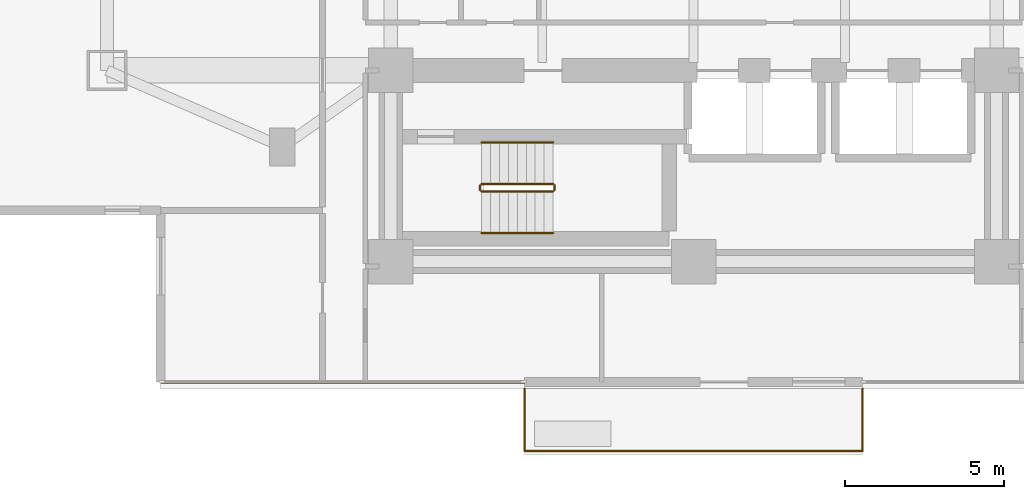
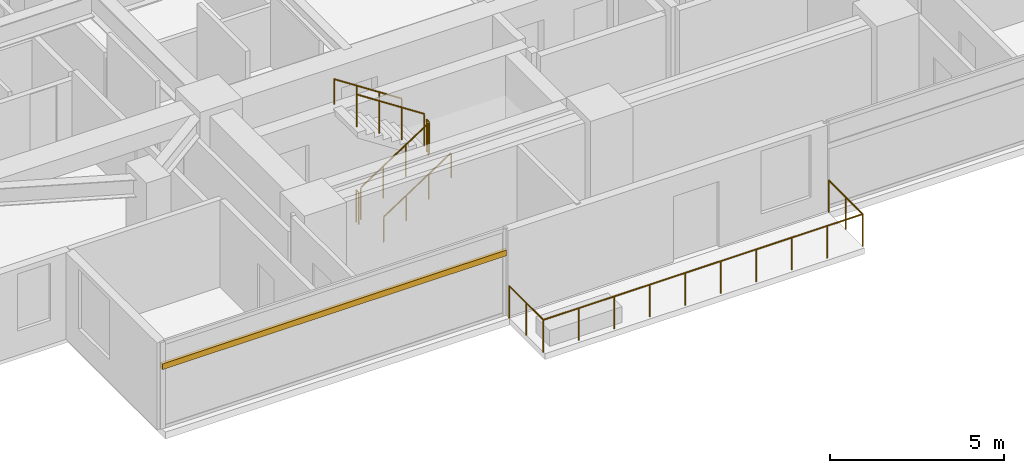
# One storey, part 20 of 25: 9 railings, 1 shading device.
"""IFC4 building model written with IfcOpenShell, lengths in metres."""

from ifc_helpers import new_model, si_unit, direction, frame, origin, origin_2d, place, context, subcontext, project, spatial, rectangle, circle, extrude, material, material_profile, profile_set, type_object, element, save


model = new_model("IFC4")

# Units and contexts
model_context = context("Model", 3, precision=1e-05, world=origin(), true_north=direction((0.0, 1.0)))
body_context = subcontext(model_context, "Body", "Model", "MODEL_VIEW")
ifc_project = project(units=[si_unit("LENGTHUNIT", "METRE"), si_unit("AREAUNIT", "SQUARE_METRE"), si_unit("VOLUMEUNIT", "CUBIC_METRE"), si_unit("PLANEANGLEUNIT", "RADIAN"), si_unit("MASSUNIT", "GRAM", prefix="KILO")], contexts=[model_context])

# Site, building, storey
site_placement = place(None, origin())
site = spatial("IfcSite", under=ifc_project, at=site_placement, CompositionType="ELEMENT")
building_placement = place(site_placement, origin())
building = spatial("IfcBuilding", under=site, at=building_placement, Name="Mirazonda Arch Towers", CompositionType="ELEMENT")
storey_placement = place(building_placement, frame((0.0, 0.0, 35.60009765625)))
storey = spatial("IfcBuildingStorey", under=building, at=storey_placement, Name="L09", CompositionType="ELEMENT", Elevation=35.60009765625)

# Shading device
ifc_material_1 = material(Name="Kiln-Fired Architectural Terracotta", Category="masonry")
ifc_material_profile = material_profile(ifc_material_1, rectangle(XDim=0.10009765625, YDim=0.199951171875, at=origin_2d()), Name="TERRA-BAG-100x200")
ifc_profile_set = profile_set([ifc_material_profile], Name="Kiln-Fired Architectural Terracotta")
shading_device_type = type_object("IfcShadingDeviceType", Name="BAGUETTE-2", PredefinedType="USERDEFINED", material=ifc_profile_set)
shading_device_placement = place(storey_placement, frame((15.2099609375, 8.6279296875, 2.188720703125), z_axis=(-1.0, 0.0, 0.0), x_axis=(0.0, -1.0, 0.0)))
element("IfcShadingDevice", 1, at=shading_device_placement, inside=storey, type_object=shading_device_type, Name="L09 Glazed Terracotta Sun-Screen Baguette CW-L09-T1-SB", ObjectType="BAGUETTE", PredefinedType="USERDEFINED", context=body_context, shape_type="SweptSolid", body=[
    extrude(rectangle(XDim=0.10009765625, YDim=0.199951171875, at=origin_2d()), origin(), (0.0, 0.0, 1.0), 11.429931640625),
])

# Railings
ifc_material_2 = material(Name="Architectural Brushed Steel S355", Category="steel")
railing_type_1 = type_object("IfcRailingType", Name="GUARD-EXT-1150", PredefinedType="GUARDRAIL", material=ifc_material_2)
railing_1_placement = place(storey_placement, frame((25.800048828125, 8.41796875, 0.0)))
element("IfcRailing", 2, at=railing_1_placement, inside=storey, type_object=railing_type_1, Name="L09 T1 Sky-Terrace Guard 01", PredefinedType="GUARDRAIL", context=body_context, shape_type="SweptSolid", body=[
    extrude(circle(Radius=0.02392578125, at=origin_2d()), frame((0.0, 0.0, 1.1259765625), z_axis=(0.0, -1.0, 0.0), x_axis=(1.0, 0.0, 0.0)), (0.0, 0.0, 1.0), 1.9599609375),
    extrude(circle(Radius=0.02099609375, at=origin_2d()), origin(), (0.0, 0.0, 1.0), 1.101806640625),
    extrude(circle(Radius=0.02099609375, at=origin_2d()), frame((0.0, -0.97998046875, 0.0)), (0.0, 0.0, 1.0), 1.101806640625),
    extrude(circle(Radius=0.02099609375, at=origin_2d()), frame((0.0, -1.9599609375, 0.0)), (0.0, 0.0, 1.0), 1.101806640625),
])
railing_2_placement = place(storey_placement, frame((25.800048828125, 6.4580078125, 0.0)))
element("IfcRailing", 3, at=railing_2_placement, inside=storey, type_object=railing_type_1, Name="L09 T1 Sky-Terrace Guard 02", PredefinedType="GUARDRAIL", context=body_context, shape_type="SweptSolid", body=[
    extrude(circle(Radius=0.02392578125, at=origin_2d()), frame((0.0, 0.0, 1.1259765625), z_axis=(-1.0, 0.0, 0.0), x_axis=(0.0, -1.0, 0.0)), (0.0, 0.0, 1.0), 10.60009765625),
    extrude(circle(Radius=0.02099609375, at=origin_2d()), origin(), (0.0, 0.0, 1.0), 1.101806640625),
    extrude(circle(Radius=0.02099609375, at=origin_2d()), frame((-1.177734375, 0.0, 0.0)), (0.0, 0.0, 1.0), 1.101806640625),
    extrude(circle(Radius=0.02099609375, at=origin_2d()), frame((-2.35546875, 0.0, 0.0)), (0.0, 0.0, 1.0), 1.101806640625),
    extrude(circle(Radius=0.02099609375, at=origin_2d()), frame((-3.533447265625, 0.0, 0.0)), (0.0, 0.0, 1.0), 1.101806640625),
    extrude(circle(Radius=0.02099609375, at=origin_2d()), frame((-4.711181640625, 0.0, 0.0)), (0.0, 0.0, 1.0), 1.101806640625),
    extrude(circle(Radius=0.02099609375, at=origin_2d()), frame((-5.888916015625, 0.0, 0.0)), (0.0, 0.0, 1.0), 1.101806640625),
    extrude(circle(Radius=0.02099609375, at=origin_2d()), frame((-7.066650390625, 0.0, 0.0)), (0.0, 0.0, 1.0), 1.101806640625),
    extrude(circle(Radius=0.02099609375, at=origin_2d()), frame((-8.24462890625, 0.0, 0.0)), (0.0, 0.0, 1.0), 1.101806640625),
    extrude(circle(Radius=0.02099609375, at=origin_2d()), frame((-9.42236328125, 0.0, 0.0)), (0.0, 0.0, 1.0), 1.101806640625),
    extrude(circle(Radius=0.02099609375, at=origin_2d()), frame((-10.60009765625, 0.0, 0.0)), (0.0, 0.0, 1.0), 1.101806640625),
])
railing_3_placement = place(storey_placement, frame((15.199951171875, 6.4580078125, 0.0)))
element("IfcRailing", 4, at=railing_3_placement, inside=storey, type_object=railing_type_1, Name="L09 T1 Sky-Terrace Guard 03", PredefinedType="GUARDRAIL", context=body_context, shape_type="SweptSolid", body=[
    extrude(circle(Radius=0.02392578125, at=origin_2d()), frame((0.0, 0.0, 1.1259765625), z_axis=(0.0, 1.0, 0.0), x_axis=(-1.0, 0.0, 0.0)), (0.0, 0.0, 1.0), 1.9599609375),
    extrude(circle(Radius=0.02099609375, at=origin_2d()), origin(), (0.0, 0.0, 1.0), 1.101806640625),
    extrude(circle(Radius=0.02099609375, at=origin_2d()), frame((0.0, 0.97998046875, 0.0)), (0.0, 0.0, 1.0), 1.101806640625),
    extrude(circle(Radius=0.02099609375, at=origin_2d()), frame((0.0, 1.9599609375, 0.0)), (0.0, 0.0, 1.0), 1.101806640625),
])
railing_type_2 = type_object("IfcRailingType", Name="GUARD-STAIR-1120", PredefinedType="GUARDRAIL", material=ifc_material_2)
railing_4_placement = place(storey_placement, frame((13.85009765625, 14.60009765625, 0.183349609375)))
element("IfcRailing", 5, at=railing_4_placement, inside=storey, type_object=railing_type_2, Name="L09 ST-T1S stair guard 1", PredefinedType="GUARDRAIL", context=body_context, shape_type="SweptSolid", body=[
    extrude(circle(Radius=0.02392578125, at=origin_2d()), frame((0.0, 0.0, 1.1259765625), z_axis=(0.836636935527, 0.0, 0.547757827979), x_axis=(0.0, 1.0, 0.0)), (0.0, 0.0, 1.0), 2.677490234375),
    extrude(circle(Radius=0.02099609375, at=origin_2d()), origin(), (0.0, 0.0, 1.0), 1.101806640625),
    extrude(circle(Radius=0.02099609375, at=origin_2d()), frame((0.74658203125, 0.0, 0.48876953125)), (0.0, 0.0, 1.0), 1.101806640625),
    extrude(circle(Radius=0.02099609375, at=origin_2d()), frame((1.493408203125, 0.0, 0.977783203125)), (0.0, 0.0, 1.0), 1.101806640625),
    extrude(circle(Radius=0.02099609375, at=origin_2d()), frame((2.239990234375, 0.0, 1.466552734375)), (0.0, 0.0, 1.0), 1.101806640625),
])
railing_5_placement = place(storey_placement, frame((16.139892578125, 14.64990234375, 1.64990234375)))
element("IfcRailing", 6, at=railing_5_placement, inside=storey, type_object=railing_type_2, Name="L09 ST-T1S stair guard 2", PredefinedType="GUARDRAIL", context=body_context, shape_type="SweptSolid", body=[
    extrude(circle(Radius=0.02392578125, at=origin_2d()), frame((0.0, 0.0, 1.1259765625), z_axis=(0.0, 1.0, 0.0), x_axis=(-1.0, 0.0, 0.0)), (0.0, 0.0, 1.0), 0.14013671875),
    extrude(circle(Radius=0.02099609375, at=origin_2d()), origin(), (0.0, 0.0, 1.0), 1.101806640625),
    extrude(circle(Radius=0.02099609375, at=origin_2d()), frame((0.0, 0.14013671875, 0.0)), (0.0, 0.0, 1.0), 1.101806640625),
])
railing_6_placement = place(storey_placement, frame((16.090087890625, 14.840087890625, 1.833251953125)))
element("IfcRailing", 7, at=railing_6_placement, inside=storey, type_object=railing_type_2, Name="L09 ST-T1S stair guard 3", PredefinedType="GUARDRAIL", context=body_context, shape_type="SweptSolid", body=[
    extrude(circle(Radius=0.02392578125, at=origin_2d()), frame((0.0, 0.0, 1.1259765625), z_axis=(-0.836636935527, 0.0, 0.547757827979), x_axis=(0.0, -1.0, 0.0)), (0.0, 0.0, 1.0), 2.677490234375),
    extrude(circle(Radius=0.02099609375, at=origin_2d()), origin(), (0.0, 0.0, 1.0), 1.101806640625),
    extrude(circle(Radius=0.02099609375, at=origin_2d()), frame((-0.74658203125, 0.0, 0.48876953125)), (0.0, 0.0, 1.0), 1.101806640625),
    extrude(circle(Radius=0.02099609375, at=origin_2d()), frame((-1.493408203125, 0.0, 0.977783203125)), (0.0, 0.0, 1.0), 1.101806640625),
    extrude(circle(Radius=0.02099609375, at=origin_2d()), frame((-2.239990234375, 0.0, 1.466552734375)), (0.0, 0.0, 1.0), 1.101806640625),
])
railing_7_placement = place(storey_placement, frame((13.800048828125, 14.64990234375, 0.0)))
element("IfcRailing", 8, at=railing_7_placement, inside=storey, type_object=railing_type_2, Name="L09 ST-T1S stair guard 4", PredefinedType="GUARDRAIL", context=body_context, shape_type="SweptSolid", body=[
    extrude(circle(Radius=0.02392578125, at=origin_2d()), frame((0.0, 0.0, 1.1259765625), z_axis=(0.0, 1.0, 0.0), x_axis=(-1.0, 0.0, 0.0)), (0.0, 0.0, 1.0), 0.14013671875),
    extrude(circle(Radius=0.02099609375, at=origin_2d()), origin(), (0.0, 0.0, 1.0), 1.101806640625),
    extrude(circle(Radius=0.02099609375, at=origin_2d()), frame((0.0, 0.14013671875, 0.0)), (0.0, 0.0, 1.0), 1.101806640625),
])
railing_type_3 = type_object("IfcRailingType", Name="HANDRAIL-915", PredefinedType="HANDRAIL", material=ifc_material_2)
railing_8_placement = place(storey_placement, frame((13.85009765625, 13.300048828125, 0.183349609375)))
element("IfcRailing", 9, at=railing_8_placement, inside=storey, type_object=railing_type_3, Name="L09 ST-T1S stair handrail 1", PredefinedType="HANDRAIL", context=body_context, shape_type="SweptSolid", body=[
    extrude(circle(Radius=0.02392578125, at=origin_2d()), frame((0.0, 0.0, 0.8759765625), z_axis=(0.836636935527, 0.0, 0.547757827979), x_axis=(0.0, 1.0, 0.0)), (0.0, 0.0, 1.0), 2.677490234375),
    extrude(circle(Radius=0.02099609375, at=origin_2d()), origin(), (0.0, 0.0, 1.0), 0.851806640625),
    extrude(circle(Radius=0.02099609375, at=origin_2d()), frame((0.74658203125, 0.0, 0.48876953125)), (0.0, 0.0, 1.0), 0.851806640625),
    extrude(circle(Radius=0.02099609375, at=origin_2d()), frame((1.493408203125, 0.0, 0.977783203125)), (0.0, 0.0, 1.0), 0.851806640625),
    extrude(circle(Radius=0.02099609375, at=origin_2d()), frame((2.239990234375, 0.0, 1.466552734375)), (0.0, 0.0, 1.0), 0.851806640625),
])
railing_9_placement = place(storey_placement, frame((16.090087890625, 16.139892578125, 1.833251953125)))
element("IfcRailing", 10, at=railing_9_placement, inside=storey, type_object=railing_type_3, Name="L09 ST-T1S stair handrail 2", PredefinedType="HANDRAIL", context=body_context, shape_type="SweptSolid", body=[
    extrude(circle(Radius=0.02392578125, at=origin_2d()), frame((0.0, 0.0, 0.8759765625), z_axis=(-0.836636935527, 0.0, 0.547757827979), x_axis=(0.0, -1.0, 0.0)), (0.0, 0.0, 1.0), 2.677490234375),
    extrude(circle(Radius=0.02099609375, at=origin_2d()), origin(), (0.0, 0.0, 1.0), 0.851806640625),
    extrude(circle(Radius=0.02099609375, at=origin_2d()), frame((-0.74658203125, 0.0, 0.48876953125)), (0.0, 0.0, 1.0), 0.851806640625),
    extrude(circle(Radius=0.02099609375, at=origin_2d()), frame((-1.493408203125, 0.0, 0.977783203125)), (0.0, 0.0, 1.0), 0.851806640625),
    extrude(circle(Radius=0.02099609375, at=origin_2d()), frame((-2.239990234375, 0.0, 1.466552734375)), (0.0, 0.0, 1.0), 0.851806640625),
])

save(model, "model.ifc")
